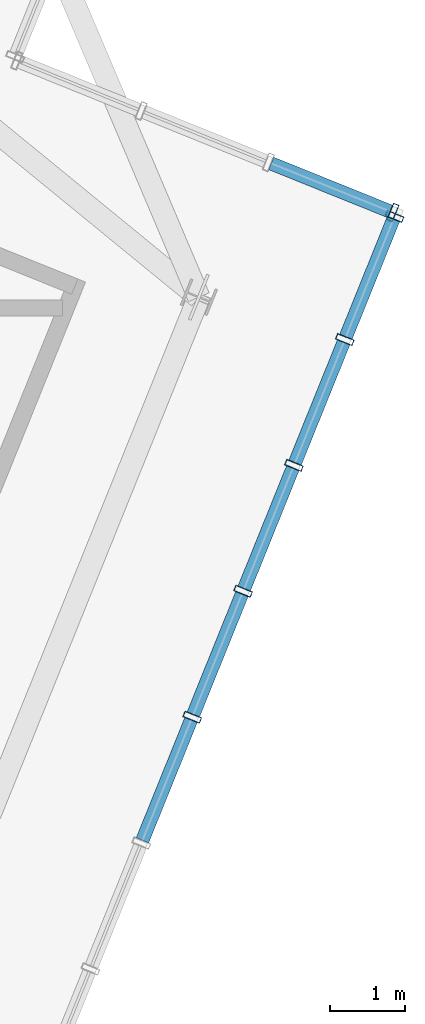
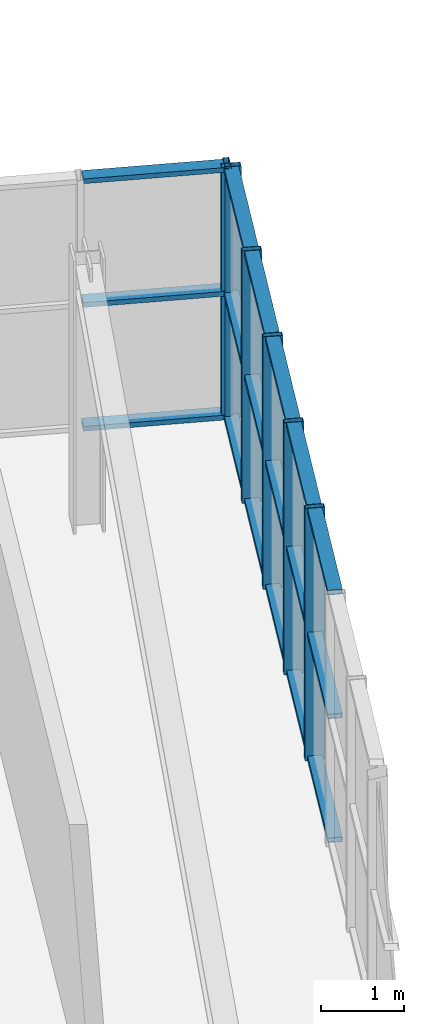
# One storey, part 11 of 26: 24 members, 2 elements without a shape of their own.
"""IFC4 building model written with IfcOpenShell, lengths in metres."""

from ifc_helpers import new_model, si_unit, direction, frame, origin, origin_2d, place, context, subcontext, project, spatial, hollow_rectangle, extrude, source, transform, mapped, material, layer, layer_set, material_profile, profile_set, type_object, element, aggregate, save


model = new_model("IFC4")

# Units and contexts
model_context = context("Model", 3, precision=1e-05, world=origin(), true_north=direction((0.0, 1.0)))
body_context = subcontext(model_context, "Body", "Model", "MODEL_VIEW")
ifc_project = project(units=[si_unit("LENGTHUNIT", "METRE"), si_unit("AREAUNIT", "SQUARE_METRE"), si_unit("VOLUMEUNIT", "CUBIC_METRE"), si_unit("PLANEANGLEUNIT", "RADIAN"), si_unit("MASSUNIT", "GRAM", prefix="KILO"), si_unit("THERMODYNAMICTEMPERATUREUNIT", "KELVIN")], contexts=[model_context])

# Site, building, storey
site_placement = place(None, origin())
site = spatial("IfcSite", under=ifc_project, at=site_placement, CompositionType="ELEMENT")
building_placement = place(site_placement, origin())
building = spatial("IfcBuilding", under=site, at=building_placement, Name="Kosmvard Interchange Tower", CompositionType="ELEMENT")
storey_placement = place(building_placement, frame((0.0, 0.0, 325.60009765625)))
storey = spatial("IfcBuildingStorey", under=building, at=storey_placement, Name="L80", CompositionType="ELEMENT", Elevation=325.60009765625)

# Curtain wall, members
ifc_material = material(Name="Architectural anodised aluminium", Category="aluminium")
ifc_layer = layer(ifc_material, 0.25, Name="Architectural anodised aluminium")
ifc_layer_set = layer_set([ifc_layer], Name="Architectural anodised aluminium")
curtain_wall_type = type_object("IfcCurtainWallType", Name="CW-6 Illuminated Crown Lantern Curtain Wall", PredefinedType="NOTDEFINED", material=ifc_layer_set)
curtain_wall_1_placement = place(storey_placement, origin())
curtain_wall_1 = element("IfcCurtainWall", 1, at=curtain_wall_1_placement, inside=storey, type_object=curtain_wall_type, Name="L80 Crown Lantern Glazing Face 01", PredefinedType="NOTDEFINED")
ifc_material_profile_1 = material_profile(ifc_material, hollow_rectangle(XDim=0.239990234375, YDim=0.080078125, WallThickness=0.006103515625, at=origin_2d()), Name="CWM 240x80x6")
ifc_profile_set_1 = profile_set([ifc_material_profile_1], Name="Architectural anodised aluminium")
member_type_1 = type_object("IfcMemberType", Name="Lantern & Observation CW Mullion 240x80 Aluminium", PredefinedType="MULLION", material=ifc_profile_set_1)
shared_shape_1 = source(origin(), body_context, "Body", "SweptSolid", [
    extrude(hollow_rectangle(XDim=0.239990234375, YDim=0.080078125, WallThickness=0.006103515625, at=origin_2d()), origin(), (0.0, 0.0, 1.0), 3.699951171875),
])
member_1_placement = place(storey_placement, frame((22.454833984375, -0.267578125, 0.0), z_axis=(0.0, 0.0, 1.0), x_axis=(-0.927183858065, 0.374606584758, 0.0)))
member_1 = element("IfcMember", 2, at=member_1_placement, type_object=member_type_1, Name="CW-6 mullion 14", PredefinedType="MULLION", context=body_context, shape_type="MappedRepresentation", body=[
    mapped(shared_shape_1, transform((0.0, 0.0, 0.0), scale=1.0)),
])
member_2_placement = place(storey_placement, frame((23.13427734375, 1.414306640625, 0.0), z_axis=(0.0, 0.0, 1.0), x_axis=(-0.927183858065, 0.374606584758, 0.0)))
member_2 = element("IfcMember", 3, at=member_2_placement, type_object=member_type_1, Name="CW-6 mullion 15", PredefinedType="MULLION", context=body_context, shape_type="MappedRepresentation", body=[
    mapped(shared_shape_1, transform((0.0, 0.0, 0.0), scale=1.0)),
])
member_3_placement = place(storey_placement, frame((23.81396484375, 3.096435546875, 0.0), z_axis=(0.0, 0.0, 1.0), x_axis=(-0.927183858065, 0.374606584758, 0.0)))
member_3 = element("IfcMember", 4, at=member_3_placement, type_object=member_type_1, Name="CW-6 mullion 16", PredefinedType="MULLION", context=body_context, shape_type="MappedRepresentation", body=[
    mapped(shared_shape_1, transform((0.0, 0.0, 0.0), scale=1.0)),
])
member_4_placement = place(storey_placement, frame((24.49365234375, 4.7783203125, 0.0), z_axis=(0.0, 0.0, 1.0), x_axis=(-0.927183858065, 0.374606584758, 0.0)))
member_4 = element("IfcMember", 5, at=member_4_placement, type_object=member_type_1, Name="CW-6 mullion 17", PredefinedType="MULLION", context=body_context, shape_type="MappedRepresentation", body=[
    mapped(shared_shape_1, transform((0.0, 0.0, 0.0), scale=1.0)),
])
member_5_placement = place(storey_placement, frame((25.158203125, 6.42333984375, 0.0), z_axis=(0.0, 0.0, 1.0), x_axis=(-0.927183858065, 0.374606584758, 0.0)))
member_5 = element("IfcMember", 6, at=member_5_placement, type_object=member_type_1, Name="CW-6 mullion 18", PredefinedType="MULLION", context=body_context, shape_type="MappedRepresentation", body=[
    mapped(shared_shape_1, transform((0.0, 0.0, 0.0), scale=1.0)),
])

# Curtain wall, member
curtain_wall_2_placement = place(storey_placement, origin())
curtain_wall_2 = element("IfcCurtainWall", 7, at=curtain_wall_2_placement, inside=storey, type_object=curtain_wall_type, Name="L80 Crown Lantern Glazing Face 02", PredefinedType="NOTDEFINED")
member_6_placement = place(storey_placement, frame((25.135986328125, 6.475341796875, 0.0), z_axis=(0.0, 0.0, 1.0), x_axis=(-0.374606564822, -0.92718386612, 0.0)))
member_6 = element("IfcMember", 8, at=member_6_placement, type_object=member_type_1, Name="CW-6 mullion 1", PredefinedType="MULLION", context=body_context, shape_type="MappedRepresentation", body=[
    mapped(shared_shape_1, transform((0.0, 0.0, 0.0), scale=1.0)),
])

# Member
ifc_material_profile_2 = material_profile(ifc_material, hollow_rectangle(XDim=0.179931640625, YDim=0.070068359375, WallThickness=0.0048828125, at=origin_2d()), Name="CWT 180x70x5")
ifc_profile_set_2 = profile_set([ifc_material_profile_2], Name="Architectural anodised aluminium")
member_type_2 = type_object("IfcMemberType", Name="Heavy Lantern CW Transom 180x70 Aluminium", PredefinedType="USERDEFINED", material=ifc_profile_set_2)
shared_shape_2 = source(origin(), body_context, "Body", "SweptSolid", [
    extrude(hollow_rectangle(XDim=0.179931640625, YDim=0.070068359375, WallThickness=0.0048828125, at=origin_2d()), origin(), (0.0, 0.0, 1.0), 1.694091796875),
])
member_7_placement = place(storey_placement, frame((24.508544921875, 4.8154296875, 0.034912109375), z_axis=(0.374544061831, 0.927209116514, 0.0), x_axis=(-0.927209116514, 0.374544061831, 0.0)))
member_7 = element("IfcMember", 9, at=member_7_placement, type_object=member_type_2, Name="CW-6 transom 17.1", ObjectType="TRANSOM", PredefinedType="USERDEFINED", context=body_context, shape_type="MappedRepresentation", body=[
    mapped(shared_shape_2, transform((0.0, 0.0, 0.0), scale=1.0)),
])

member_8_placement = place(storey_placement, frame((24.508544921875, 4.8154296875, 1.849853515625), z_axis=(0.374544061831, 0.927209116514, 0.0), x_axis=(-0.927209116514, 0.374544061831, 0.0)))
member_8 = element("IfcMember", 10, at=member_8_placement, type_object=member_type_2, Name="CW-6 transom 17.2", ObjectType="TRANSOM", PredefinedType="USERDEFINED", context=body_context, shape_type="MappedRepresentation", body=[
    mapped(shared_shape_2, transform((0.0, 0.0, 0.0), scale=1.0)),
])

member_9_placement = place(storey_placement, frame((24.508544921875, 4.8154296875, 3.664794921875), z_axis=(0.374544061831, 0.927209116514, 0.0), x_axis=(-0.927209116514, 0.374544061831, 0.0)))
member_9 = element("IfcMember", 11, at=member_9_placement, type_object=member_type_2, Name="CW-6 transom 17.3", ObjectType="TRANSOM", PredefinedType="USERDEFINED", context=body_context, shape_type="MappedRepresentation", body=[
    mapped(shared_shape_2, transform((0.0, 0.0, 0.0), scale=1.0)),
])

shared_shape_3 = source(origin(), body_context, "Body", "SweptSolid", [
    extrude(hollow_rectangle(XDim=0.179931640625, YDim=0.070068359375, WallThickness=0.0048828125, at=origin_2d()), origin(), (0.0, 0.0, 1.0), 1.734130859375),
])
member_10_placement = place(storey_placement, frame((21.790283203125, -1.91259765625, 0.034912109375), z_axis=(0.374495638732, 0.927228675447, 0.0), x_axis=(-0.927228675447, 0.374495638732, 0.0)))
member_10 = element("IfcMember", 12, at=member_10_placement, type_object=member_type_2, Name="CW-6 transom 13.1", ObjectType="TRANSOM", PredefinedType="USERDEFINED", context=body_context, shape_type="MappedRepresentation", body=[
    mapped(shared_shape_3, transform((0.0, 0.0, 0.0), scale=1.0)),
])

member_11_placement = place(storey_placement, frame((21.790283203125, -1.91259765625, 1.849853515625), z_axis=(0.374495638732, 0.927228675447, 0.0), x_axis=(-0.927228675447, 0.374495638732, 0.0)))
member_11 = element("IfcMember", 13, at=member_11_placement, type_object=member_type_2, Name="CW-6 transom 13.2", ObjectType="TRANSOM", PredefinedType="USERDEFINED", context=body_context, shape_type="MappedRepresentation", body=[
    mapped(shared_shape_3, transform((0.0, 0.0, 0.0), scale=1.0)),
])

member_12_placement = place(storey_placement, frame((21.790283203125, -1.91259765625, 3.664794921875), z_axis=(0.374495638732, 0.927228675447, 0.0), x_axis=(-0.927228675447, 0.374495638732, 0.0)))
member_12 = element("IfcMember", 14, at=member_12_placement, type_object=member_type_2, Name="CW-6 transom 13.3", ObjectType="TRANSOM", PredefinedType="USERDEFINED", context=body_context, shape_type="MappedRepresentation", body=[
    mapped(shared_shape_3, transform((0.0, 0.0, 0.0), scale=1.0)),
])

member_13_placement = place(storey_placement, frame((23.1494140625, 1.451416015625, 0.034912109375), z_axis=(0.374616671924, 0.927179782522, 0.0), x_axis=(-0.927179782522, 0.374616671924, 0.0)))
member_13 = element("IfcMember", 15, at=member_13_placement, type_object=member_type_2, Name="CW-6 transom 15.1", ObjectType="TRANSOM", PredefinedType="USERDEFINED", context=body_context, shape_type="MappedRepresentation", body=[
    mapped(shared_shape_3, transform((0.0, 0.0, 0.0), scale=1.0)),
])

member_14_placement = place(storey_placement, frame((23.1494140625, 1.451416015625, 1.849853515625), z_axis=(0.374616671924, 0.927179782522, 0.0), x_axis=(-0.927179782522, 0.374616671924, 0.0)))
member_14 = element("IfcMember", 16, at=member_14_placement, type_object=member_type_2, Name="CW-6 transom 15.2", ObjectType="TRANSOM", PredefinedType="USERDEFINED", context=body_context, shape_type="MappedRepresentation", body=[
    mapped(shared_shape_3, transform((0.0, 0.0, 0.0), scale=1.0)),
])

member_15_placement = place(storey_placement, frame((23.1494140625, 1.451416015625, 3.664794921875), z_axis=(0.374616671924, 0.927179782522, 0.0), x_axis=(-0.927179782522, 0.374616671924, 0.0)))
member_15 = element("IfcMember", 17, at=member_15_placement, type_object=member_type_2, Name="CW-6 transom 15.3", ObjectType="TRANSOM", PredefinedType="USERDEFINED", context=body_context, shape_type="MappedRepresentation", body=[
    mapped(shared_shape_3, transform((0.0, 0.0, 0.0), scale=1.0)),
])

shared_shape_4 = source(origin(), body_context, "Body", "SweptSolid", [
    extrude(hollow_rectangle(XDim=0.179931640625, YDim=0.070068359375, WallThickness=0.0048828125, at=origin_2d()), origin(), (0.0, 0.0, 1.0), 1.73388671875),
])
member_16_placement = place(storey_placement, frame((22.4697265625, -0.23046875, 0.034912109375), z_axis=(0.374665576032, 0.927160021861, 0.0), x_axis=(-0.927160021861, 0.374665576032, 0.0)))
member_16 = element("IfcMember", 18, at=member_16_placement, type_object=member_type_2, Name="CW-6 transom 14.1", ObjectType="TRANSOM", PredefinedType="USERDEFINED", context=body_context, shape_type="MappedRepresentation", body=[
    mapped(shared_shape_4, transform((0.0, 0.0, 0.0), scale=1.0)),
])

member_17_placement = place(storey_placement, frame((22.4697265625, -0.23046875, 1.849853515625), z_axis=(0.374665576032, 0.927160021861, 0.0), x_axis=(-0.927160021861, 0.374665576032, 0.0)))
member_17 = element("IfcMember", 19, at=member_17_placement, type_object=member_type_2, Name="CW-6 transom 14.2", ObjectType="TRANSOM", PredefinedType="USERDEFINED", context=body_context, shape_type="MappedRepresentation", body=[
    mapped(shared_shape_4, transform((0.0, 0.0, 0.0), scale=1.0)),
])

member_18_placement = place(storey_placement, frame((22.4697265625, -0.23046875, 3.664794921875), z_axis=(0.374665576032, 0.927160021861, 0.0), x_axis=(-0.927160021861, 0.374665576032, 0.0)))
member_18 = element("IfcMember", 20, at=member_18_placement, type_object=member_type_2, Name="CW-6 transom 14.3", ObjectType="TRANSOM", PredefinedType="USERDEFINED", context=body_context, shape_type="MappedRepresentation", body=[
    mapped(shared_shape_4, transform((0.0, 0.0, 0.0), scale=1.0)),
])

member_19_placement = place(storey_placement, frame((23.828857421875, 3.133544921875, 0.034912109375), z_axis=(0.374665576032, 0.927160021861, 0.0), x_axis=(-0.927160021861, 0.374665576032, 0.0)))
member_19 = element("IfcMember", 21, at=member_19_placement, type_object=member_type_2, Name="CW-6 transom 16.1", ObjectType="TRANSOM", PredefinedType="USERDEFINED", context=body_context, shape_type="MappedRepresentation", body=[
    mapped(shared_shape_4, transform((0.0, 0.0, 0.0), scale=1.0)),
])

member_20_placement = place(storey_placement, frame((23.828857421875, 3.133544921875, 1.849853515625), z_axis=(0.374665576032, 0.927160021861, 0.0), x_axis=(-0.927160021861, 0.374665576032, 0.0)))
member_20 = element("IfcMember", 22, at=member_20_placement, type_object=member_type_2, Name="CW-6 transom 16.2", ObjectType="TRANSOM", PredefinedType="USERDEFINED", context=body_context, shape_type="MappedRepresentation", body=[
    mapped(shared_shape_4, transform((0.0, 0.0, 0.0), scale=1.0)),
])

member_21_placement = place(storey_placement, frame((23.828857421875, 3.133544921875, 3.664794921875), z_axis=(0.374665576032, 0.927160021861, 0.0), x_axis=(-0.927160021861, 0.374665576032, 0.0)))
member_21 = element("IfcMember", 23, at=member_21_placement, type_object=member_type_2, Name="CW-6 transom 16.3", ObjectType="TRANSOM", PredefinedType="USERDEFINED", context=body_context, shape_type="MappedRepresentation", body=[
    mapped(shared_shape_4, transform((0.0, 0.0, 0.0), scale=1.0)),
])

aggregate(curtain_wall_1, [member_1, member_2, member_3, member_4, member_5, member_10, member_11, member_12, member_16, member_17, member_18, member_13, member_14, member_15, member_19, member_20, member_21, member_7, member_8, member_9])

shared_shape_5 = source(origin(), body_context, "Body", "SweptSolid", [
    extrude(hollow_rectangle(XDim=0.179931640625, YDim=0.070068359375, WallThickness=0.0048828125, at=origin_2d()), origin(), (0.0, 0.0, 1.0), 1.71337890625),
])
member_22_placement = place(storey_placement, frame((25.098876953125, 6.490478515625, 0.034912109375), z_axis=(-0.927233273404, 0.374484254265, 0.0), x_axis=(-0.374484254265, -0.927233273404, 0.0)))
member_22 = element("IfcMember", 24, at=member_22_placement, type_object=member_type_2, Name="CW-6 transom 1.1", ObjectType="TRANSOM", PredefinedType="USERDEFINED", context=body_context, shape_type="MappedRepresentation", body=[
    mapped(shared_shape_5, transform((0.0, 0.0, 0.0), scale=1.0)),
])

member_23_placement = place(storey_placement, frame((25.098876953125, 6.490478515625, 1.849853515625), z_axis=(-0.927233273404, 0.374484254265, 0.0), x_axis=(-0.374484254265, -0.927233273404, 0.0)))
member_23 = element("IfcMember", 25, at=member_23_placement, type_object=member_type_2, Name="CW-6 transom 1.2", ObjectType="TRANSOM", PredefinedType="USERDEFINED", context=body_context, shape_type="MappedRepresentation", body=[
    mapped(shared_shape_5, transform((0.0, 0.0, 0.0), scale=1.0)),
])

member_24_placement = place(storey_placement, frame((25.098876953125, 6.490478515625, 3.664794921875), z_axis=(-0.927233273404, 0.374484254265, 0.0), x_axis=(-0.374484254265, -0.927233273404, 0.0)))
member_24 = element("IfcMember", 26, at=member_24_placement, type_object=member_type_2, Name="CW-6 transom 1.3", ObjectType="TRANSOM", PredefinedType="USERDEFINED", context=body_context, shape_type="MappedRepresentation", body=[
    mapped(shared_shape_5, transform((0.0, 0.0, 0.0), scale=1.0)),
])

aggregate(curtain_wall_2, [member_6, member_22, member_23, member_24])

save(model, "model.ifc")
